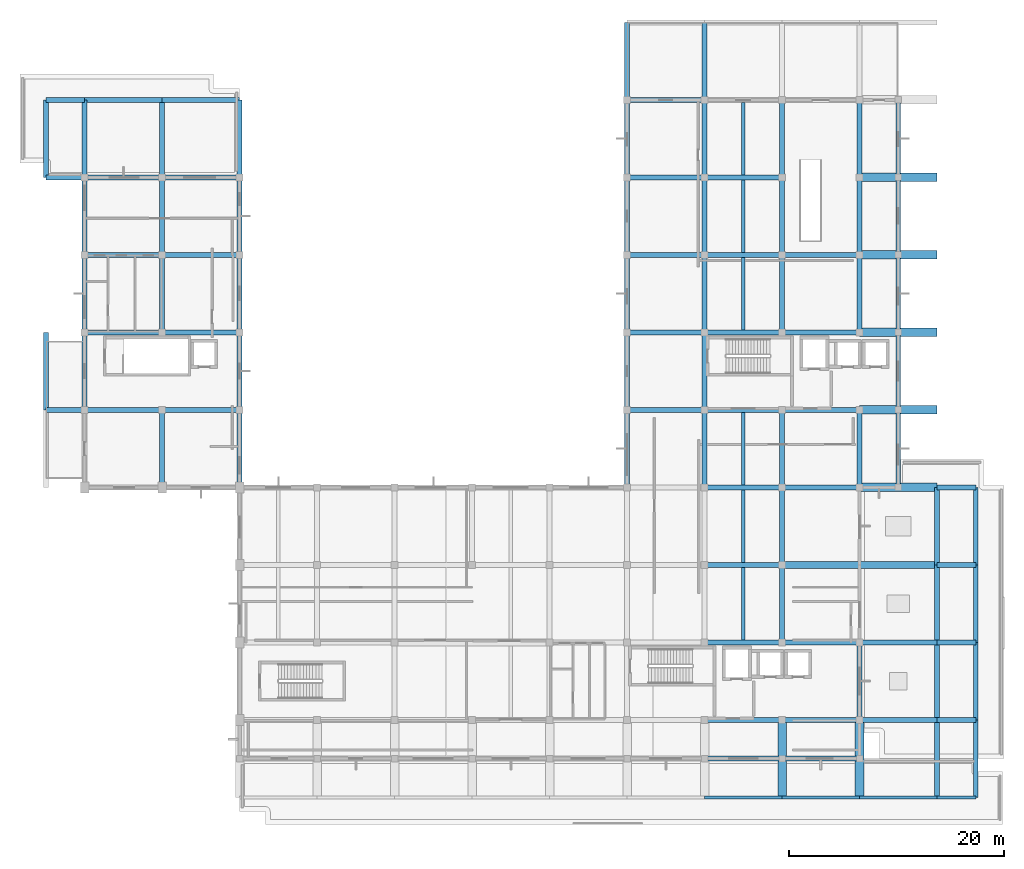
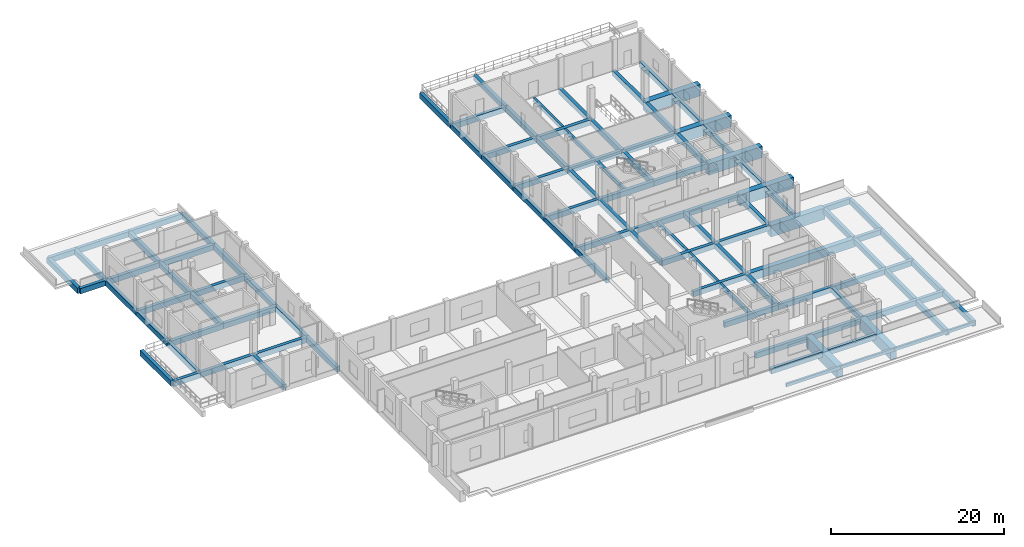
# One storey, part 2 of 16: 109 beams.
"""IFC4 building model written with IfcOpenShell, lengths in metres."""

from ifc_helpers import new_model, si_unit, direction, frame, origin, origin_2d, place, context, subcontext, project, spatial, rectangle, extrude, material, material_profile, profile_set, type_object, element, save


model = new_model("IFC4")

# Units and contexts
model_context = context("Model", 3, precision=1e-05, world=origin(), true_north=direction((0.0, 1.0)))
body_context = subcontext(model_context, "Body", "Model", "MODEL_VIEW")
ifc_project = project(units=[si_unit("LENGTHUNIT", "METRE"), si_unit("AREAUNIT", "SQUARE_METRE"), si_unit("VOLUMEUNIT", "CUBIC_METRE"), si_unit("PLANEANGLEUNIT", "RADIAN"), si_unit("MASSUNIT", "GRAM", prefix="KILO")], contexts=[model_context])

# Site, building, storey
site_placement = place(None, origin())
site = spatial("IfcSite", under=ifc_project, at=site_placement, CompositionType="ELEMENT")
building_placement = place(site_placement, origin())
building = spatial("IfcBuilding", under=site, at=building_placement, Name="Seraya Terrace Polytechnic", CompositionType="ELEMENT")
storey_placement = place(building_placement, frame((0.0, 0.0, 23.39990234375)))
storey = spatial("IfcBuildingStorey", under=building, at=storey_placement, Name="L05", CompositionType="ELEMENT", Elevation=23.39990234375)

# Beams
ifc_material = material(Name="Concrete C40/50", Category="concrete")
ifc_material_profile_1 = material_profile(ifc_material, rectangle(XDim=0.64990234375, YDim=1.14990234375, at=origin_2d()), Name="RC 650x1150")
ifc_profile_set_1 = profile_set([ifc_material_profile_1], Name="Concrete C40/50")
beam_type_1 = type_object("IfcBeamType", Name="BG-02", PredefinedType="USERDEFINED", material=ifc_profile_set_1)
beam_1_placement = place(storey_placement, frame((93.60009765625, 21.60009765625, -0.574951171875), z_axis=(1.0, 0.0, 0.0), x_axis=(0.0, 1.0, 0.0)))
element("IfcBeam", 1, at=beam_1_placement, inside=storey, type_object=beam_type_1, Name="Beam BG-02 L05 X (93.6..108.0, 21.6)", ObjectType="GIRDER", PredefinedType="USERDEFINED", context=body_context, shape_type="SweptSolid", body=[
    extrude(rectangle(XDim=0.64990234375, YDim=1.14990234375, at=origin_2d()), origin(), (0.0, 0.0, 1.0), 14.39990234375),
])
ifc_material_profile_2 = material_profile(ifc_material, rectangle(XDim=0.449951171875, YDim=0.75, at=origin_2d()), Name="RC 450x750")
ifc_profile_set_2 = profile_set([ifc_material_profile_2], Name="Concrete C40/50")
beam_type_2 = type_object("IfcBeamType", Name="BM-08", PredefinedType="BEAM", material=ifc_profile_set_2)
beam_2_placement = place(storey_placement, frame((86.39990234375, 3.60009765625, -0.375), z_axis=(1.0, 0.0, 0.0), x_axis=(0.0, 1.0, 0.0)))
element("IfcBeam", 2, at=beam_2_placement, inside=storey, type_object=beam_type_2, Name="Beam BM-08 L05 X (86.4..93.6, 3.6)", PredefinedType="BEAM", context=body_context, shape_type="SweptSolid", body=[
    extrude(rectangle(XDim=0.449951171875, YDim=0.75, at=origin_2d()), origin(), (0.0, 0.0, 1.0), 7.2001953125),
])
beam_3_placement = place(storey_placement, frame((93.60009765625, 3.60009765625, -0.375), z_axis=(1.0, 0.0, 0.0), x_axis=(0.0, 1.0, 0.0)))
element("IfcBeam", 3, at=beam_3_placement, inside=storey, type_object=beam_type_2, Name="Beam BM-08 L05 X (93.6..100.8, 3.6)", PredefinedType="BEAM", context=body_context, shape_type="SweptSolid", body=[
    extrude(rectangle(XDim=0.449951171875, YDim=0.75, at=origin_2d()), origin(), (0.0, 0.0, 1.0), 7.199951171875),
])
beam_4_placement = place(storey_placement, frame((86.39990234375, 7.199951171875, -0.375), z_axis=(1.0, 0.0, 0.0), x_axis=(0.0, 1.0, 0.0)))
element("IfcBeam", 4, at=beam_4_placement, inside=storey, type_object=beam_type_2, Name="Beam BM-08 L05 X (86.4..93.6, 7.2)", PredefinedType="BEAM", context=body_context, shape_type="SweptSolid", body=[
    extrude(rectangle(XDim=0.449951171875, YDim=0.75, at=origin_2d()), origin(), (0.0, 0.0, 1.0), 7.2001953125),
])
for number, where, z_axis, x_axis, name in (
    (5, (93.60009765625, 7.199951171875, -0.375), (1.0, 0.0, 0.0), (0.0, 1.0, 0.0), "Beam BM-08 L05 X (93.6..100.8, 7.2)"),
    (6, (100.800048828125, 7.199951171875, -0.375), (1.0, 0.0, 0.0), (0.0, 1.0, 0.0), "Beam BM-08 L05 X (100.8..108.0, 7.2)"),
):
    element("IfcBeam", number, at=place(storey_placement, frame(where, z_axis=z_axis, x_axis=x_axis)), inside=storey, type_object=beam_type_2, Name=name, PredefinedType="BEAM", context=body_context, shape_type="SweptSolid", body=[
        extrude(rectangle(XDim=0.449951171875, YDim=0.75, at=origin_2d()), origin(), (0.0, 0.0, 1.0), 7.199951171875),
    ])
beam_5_placement = place(storey_placement, frame((108.0, 7.199951171875, -0.375), z_axis=(1.0, 0.0, 0.0), x_axis=(0.0, 1.0, 0.0)))
element("IfcBeam", 7, at=beam_5_placement, inside=storey, type_object=beam_type_2, Name="Beam BM-08 L05 X (108.0..111.6, 7.2)", PredefinedType="BEAM", context=body_context, shape_type="SweptSolid", body=[
    extrude(rectangle(XDim=0.449951171875, YDim=0.75, at=origin_2d()), origin(), (0.0, 0.0, 1.0), 3.60009765625),
])
beam_6_placement = place(storey_placement, frame((86.39990234375, 14.39990234375, -0.375), z_axis=(1.0, 0.0, 0.0), x_axis=(0.0, 1.0, 0.0)))
element("IfcBeam", 8, at=beam_6_placement, inside=storey, type_object=beam_type_2, Name="Beam BM-08 L05 X (86.4..93.6, 14.4)", PredefinedType="BEAM", context=body_context, shape_type="SweptSolid", body=[
    extrude(rectangle(XDim=0.449951171875, YDim=0.75, at=origin_2d()), origin(), (0.0, 0.0, 1.0), 7.2001953125),
])
for number, where, z_axis, x_axis, name in (
    (9, (93.60009765625, 14.39990234375, -0.375), (1.0, 0.0, 0.0), (0.0, 1.0, 0.0), "Beam BM-08 L05 X (93.6..100.8, 14.4)"),
    (10, (100.800048828125, 14.39990234375, -0.375), (1.0, 0.0, 0.0), (0.0, 1.0, 0.0), "Beam BM-08 L05 X (100.8..108.0, 14.4)"),
):
    element("IfcBeam", number, at=place(storey_placement, frame(where, z_axis=z_axis, x_axis=x_axis)), inside=storey, type_object=beam_type_2, Name=name, PredefinedType="BEAM", context=body_context, shape_type="SweptSolid", body=[
        extrude(rectangle(XDim=0.449951171875, YDim=0.75, at=origin_2d()), origin(), (0.0, 0.0, 1.0), 7.199951171875),
    ])
beam_7_placement = place(storey_placement, frame((108.0, 14.39990234375, -0.375), z_axis=(1.0, 0.0, 0.0), x_axis=(0.0, 1.0, 0.0)))
element("IfcBeam", 11, at=beam_7_placement, inside=storey, type_object=beam_type_2, Name="Beam BM-08 L05 X (108.0..111.6, 14.4)", PredefinedType="BEAM", context=body_context, shape_type="SweptSolid", body=[
    extrude(rectangle(XDim=0.449951171875, YDim=0.75, at=origin_2d()), origin(), (0.0, 0.0, 1.0), 3.60009765625),
])
beam_8_placement = place(storey_placement, frame((86.39990234375, 21.60009765625, -0.375), z_axis=(1.0, 0.0, 0.0), x_axis=(0.0, 1.0, 0.0)))
element("IfcBeam", 12, at=beam_8_placement, inside=storey, type_object=beam_type_2, Name="Beam BM-08 L05 X (86.4..93.6, 21.6)", PredefinedType="BEAM", context=body_context, shape_type="SweptSolid", body=[
    extrude(rectangle(XDim=0.449951171875, YDim=0.75, at=origin_2d()), origin(), (0.0, 0.0, 1.0), 7.2001953125),
])
beam_9_placement = place(storey_placement, frame((108.0, 21.60009765625, -0.375), z_axis=(1.0, 0.0, 0.0), x_axis=(0.0, 1.0, 0.0)))
element("IfcBeam", 13, at=beam_9_placement, inside=storey, type_object=beam_type_2, Name="Beam BM-08 L05 X (108.0..111.6, 21.6)", PredefinedType="BEAM", context=body_context, shape_type="SweptSolid", body=[
    extrude(rectangle(XDim=0.449951171875, YDim=0.75, at=origin_2d()), origin(), (0.0, 0.0, 1.0), 3.60009765625),
])
beam_10_placement = place(storey_placement, frame((86.39990234375, 28.800048828125, -0.375), z_axis=(1.0, 0.0, 0.0), x_axis=(0.0, 1.0, 0.0)))
element("IfcBeam", 14, at=beam_10_placement, inside=storey, type_object=beam_type_2, Name="Beam BM-08 L05 X (86.4..93.6, 28.8)", PredefinedType="BEAM", context=body_context, shape_type="SweptSolid", body=[
    extrude(rectangle(XDim=0.449951171875, YDim=0.75, at=origin_2d()), origin(), (0.0, 0.0, 1.0), 7.2001953125),
])
beam_11_placement = place(storey_placement, frame((93.60009765625, 28.800048828125, -0.375), z_axis=(1.0, 0.0, 0.0), x_axis=(0.0, 1.0, 0.0)))
element("IfcBeam", 15, at=beam_11_placement, inside=storey, type_object=beam_type_2, Name="Beam BM-08 L05 X (93.6..100.8, 28.8)", PredefinedType="BEAM", context=body_context, shape_type="SweptSolid", body=[
    extrude(rectangle(XDim=0.449951171875, YDim=0.75, at=origin_2d()), origin(), (0.0, 0.0, 1.0), 7.199951171875),
])
for number, where, z_axis, x_axis, name in (
    (16, (108.0, 28.800048828125, -0.375), (1.0, 0.0, 0.0), (0.0, 1.0, 0.0), "Beam BM-08 L05 X (108.0..111.6, 28.8)"),
    (17, (25.199951171875, 36.0, -0.375), (1.0, 0.0, 0.0), (0.0, 1.0, 0.0), "Beam BM-08 L05 X (25.2..28.8, 36.0)"),
):
    element("IfcBeam", number, at=place(storey_placement, frame(where, z_axis=z_axis, x_axis=x_axis)), inside=storey, type_object=beam_type_2, Name=name, PredefinedType="BEAM", context=body_context, shape_type="SweptSolid", body=[
        extrude(rectangle(XDim=0.449951171875, YDim=0.75, at=origin_2d()), origin(), (0.0, 0.0, 1.0), 3.60009765625),
    ])
for number, where, z_axis, x_axis, name in (
    (18, (28.800048828125, 36.0, -0.375), (1.0, 0.0, 0.0), (0.0, 1.0, 0.0), "Beam BM-08 L05 X (28.8..36.0, 36.0)"),
    (19, (36.0, 36.0, -0.375), (1.0, 0.0, 0.0), (0.0, 1.0, 0.0), "Beam BM-08 L05 X (36.0..43.2, 36.0)"),
    (20, (79.199951171875, 36.0, -0.375), (1.0, 0.0, 0.0), (0.0, 1.0, 0.0), "Beam BM-08 L05 X (79.2..86.4, 36.0)"),
):
    element("IfcBeam", number, at=place(storey_placement, frame(where, z_axis=z_axis, x_axis=x_axis)), inside=storey, type_object=beam_type_2, Name=name, PredefinedType="BEAM", context=body_context, shape_type="SweptSolid", body=[
        extrude(rectangle(XDim=0.449951171875, YDim=0.75, at=origin_2d()), origin(), (0.0, 0.0, 1.0), 7.199951171875),
    ])
beam_12_placement = place(storey_placement, frame((86.39990234375, 36.0, -0.375), z_axis=(1.0, 0.0, 0.0), x_axis=(0.0, 1.0, 0.0)))
element("IfcBeam", 21, at=beam_12_placement, inside=storey, type_object=beam_type_2, Name="Beam BM-08 L05 X (86.4..93.6, 36.0)", PredefinedType="BEAM", context=body_context, shape_type="SweptSolid", body=[
    extrude(rectangle(XDim=0.449951171875, YDim=0.75, at=origin_2d()), origin(), (0.0, 0.0, 1.0), 7.2001953125),
])
for number, where, z_axis, x_axis, name in (
    (22, (93.60009765625, 36.0, -0.375), (1.0, 0.0, 0.0), (0.0, 1.0, 0.0), "Beam BM-08 L05 X (93.6..100.8, 36.0)"),
    (23, (28.800048828125, 43.199951171875, -0.375), (1.0, 0.0, 0.0), (0.0, 1.0, 0.0), "Beam BM-08 L05 X (28.8..36.0, 43.2)"),
    (24, (36.0, 43.199951171875, -0.375), (1.0, 0.0, 0.0), (0.0, 1.0, 0.0), "Beam BM-08 L05 X (36.0..43.2, 43.2)"),
    (25, (79.199951171875, 43.199951171875, -0.375), (1.0, 0.0, 0.0), (0.0, 1.0, 0.0), "Beam BM-08 L05 X (79.2..86.4, 43.2)"),
):
    element("IfcBeam", number, at=place(storey_placement, frame(where, z_axis=z_axis, x_axis=x_axis)), inside=storey, type_object=beam_type_2, Name=name, PredefinedType="BEAM", context=body_context, shape_type="SweptSolid", body=[
        extrude(rectangle(XDim=0.449951171875, YDim=0.75, at=origin_2d()), origin(), (0.0, 0.0, 1.0), 7.199951171875),
    ])
beam_13_placement = place(storey_placement, frame((86.39990234375, 43.199951171875, -0.375), z_axis=(1.0, 0.0, 0.0), x_axis=(0.0, 1.0, 0.0)))
element("IfcBeam", 26, at=beam_13_placement, inside=storey, type_object=beam_type_2, Name="Beam BM-08 L05 X (86.4..93.6, 43.2)", PredefinedType="BEAM", context=body_context, shape_type="SweptSolid", body=[
    extrude(rectangle(XDim=0.449951171875, YDim=0.75, at=origin_2d()), origin(), (0.0, 0.0, 1.0), 7.2001953125),
])
for number, where, z_axis, x_axis, name in (
    (27, (93.60009765625, 43.199951171875, -0.375), (1.0, 0.0, 0.0), (0.0, 1.0, 0.0), "Beam BM-08 L05 X (93.6..100.8, 43.2)"),
    (28, (28.800048828125, 50.39990234375, -0.375), (1.0, 0.0, 0.0), (0.0, 1.0, 0.0), "Beam BM-08 L05 X (28.8..36.0, 50.4)"),
    (29, (36.0, 50.39990234375, -0.375), (1.0, 0.0, 0.0), (0.0, 1.0, 0.0), "Beam BM-08 L05 X (36.0..43.2, 50.4)"),
    (30, (79.199951171875, 50.39990234375, -0.375), (1.0, 0.0, 0.0), (0.0, 1.0, 0.0), "Beam BM-08 L05 X (79.2..86.4, 50.4)"),
):
    element("IfcBeam", number, at=place(storey_placement, frame(where, z_axis=z_axis, x_axis=x_axis)), inside=storey, type_object=beam_type_2, Name=name, PredefinedType="BEAM", context=body_context, shape_type="SweptSolid", body=[
        extrude(rectangle(XDim=0.449951171875, YDim=0.75, at=origin_2d()), origin(), (0.0, 0.0, 1.0), 7.199951171875),
    ])
beam_14_placement = place(storey_placement, frame((86.39990234375, 50.39990234375, -0.375), z_axis=(1.0, 0.0, 0.0), x_axis=(0.0, 1.0, 0.0)))
element("IfcBeam", 31, at=beam_14_placement, inside=storey, type_object=beam_type_2, Name="Beam BM-08 L05 X (86.4..93.6, 50.4)", PredefinedType="BEAM", context=body_context, shape_type="SweptSolid", body=[
    extrude(rectangle(XDim=0.449951171875, YDim=0.75, at=origin_2d()), origin(), (0.0, 0.0, 1.0), 7.2001953125),
])
beam_15_placement = place(storey_placement, frame((93.60009765625, 50.39990234375, -0.375), z_axis=(1.0, 0.0, 0.0), x_axis=(0.0, 1.0, 0.0)))
element("IfcBeam", 32, at=beam_15_placement, inside=storey, type_object=beam_type_2, Name="Beam BM-08 L05 X (93.6..100.8, 50.4)", PredefinedType="BEAM", context=body_context, shape_type="SweptSolid", body=[
    extrude(rectangle(XDim=0.449951171875, YDim=0.75, at=origin_2d()), origin(), (0.0, 0.0, 1.0), 7.199951171875),
])
beam_16_placement = place(storey_placement, frame((25.199951171875, 57.60009765625, -0.375), z_axis=(1.0, 0.0, 0.0), x_axis=(0.0, 1.0, 0.0)))
element("IfcBeam", 33, at=beam_16_placement, inside=storey, type_object=beam_type_2, Name="Beam BM-08 L05 X (25.2..28.8, 57.6)", PredefinedType="BEAM", context=body_context, shape_type="SweptSolid", body=[
    extrude(rectangle(XDim=0.449951171875, YDim=0.75, at=origin_2d()), origin(), (0.0, 0.0, 1.0), 3.60009765625),
])
for number, where, z_axis, x_axis, name in (
    (34, (28.800048828125, 57.60009765625, -0.375), (1.0, 0.0, 0.0), (0.0, 1.0, 0.0), "Beam BM-08 L05 X (28.8..36.0, 57.6)"),
    (35, (36.0, 57.60009765625, -0.375), (1.0, 0.0, 0.0), (0.0, 1.0, 0.0), "Beam BM-08 L05 X (36.0..43.2, 57.6)"),
    (36, (79.199951171875, 57.60009765625, -0.375), (1.0, 0.0, 0.0), (0.0, 1.0, 0.0), "Beam BM-08 L05 X (79.2..86.4, 57.6)"),
):
    element("IfcBeam", number, at=place(storey_placement, frame(where, z_axis=z_axis, x_axis=x_axis)), inside=storey, type_object=beam_type_2, Name=name, PredefinedType="BEAM", context=body_context, shape_type="SweptSolid", body=[
        extrude(rectangle(XDim=0.449951171875, YDim=0.75, at=origin_2d()), origin(), (0.0, 0.0, 1.0), 7.199951171875),
    ])
beam_17_placement = place(storey_placement, frame((86.39990234375, 57.60009765625, -0.375), z_axis=(1.0, 0.0, 0.0), x_axis=(0.0, 1.0, 0.0)))
element("IfcBeam", 37, at=beam_17_placement, inside=storey, type_object=beam_type_2, Name="Beam BM-08 L05 X (86.4..93.6, 57.6)", PredefinedType="BEAM", context=body_context, shape_type="SweptSolid", body=[
    extrude(rectangle(XDim=0.449951171875, YDim=0.75, at=origin_2d()), origin(), (0.0, 0.0, 1.0), 7.2001953125),
])
beam_18_placement = place(storey_placement, frame((25.199951171875, 64.800048828125, -0.375), z_axis=(1.0, 0.0, 0.0), x_axis=(0.0, 1.0, 0.0)))
element("IfcBeam", 38, at=beam_18_placement, inside=storey, type_object=beam_type_2, Name="Beam BM-08 L05 X (25.2..28.8, 64.8)", PredefinedType="BEAM", context=body_context, shape_type="SweptSolid", body=[
    extrude(rectangle(XDim=0.449951171875, YDim=0.75, at=origin_2d()), origin(), (0.0, 0.0, 1.0), 3.60009765625),
])
for number, where, z_axis, x_axis, name in (
    (39, (28.800048828125, 64.800048828125, -0.375), (1.0, 0.0, 0.0), (0.0, 1.0, 0.0), "Beam BM-08 L05 X (28.8..36.0, 64.8)"),
    (40, (36.0, 64.800048828125, -0.375), (1.0, 0.0, 0.0), (0.0, 1.0, 0.0), "Beam BM-08 L05 X (36.0..43.2, 64.8)"),
    (41, (79.199951171875, 64.800048828125, -0.375), (1.0, 0.0, 0.0), (0.0, 1.0, 0.0), "Beam BM-08 L05 X (79.2..86.4, 64.8)"),
    (42, (25.199951171875, 36.0, -0.375), (0.0, 1.0, 0.0), (-1.0, 0.0, 0.0), "Beam BM-08 L05 Y (25.2, 36.0..43.2)"),
    (43, (25.199951171875, 57.60009765625, -0.375), (0.0, 1.0, 0.0), (-1.0, 0.0, 0.0), "Beam BM-08 L05 Y (25.2, 57.6..64.8)"),
    (44, (28.800048828125, 36.0, -0.375), (0.0, 1.0, 0.0), (-1.0, 0.0, 0.0), "Beam BM-08 L05 Y (28.8, 36.0..43.2)"),
    (45, (28.800048828125, 43.199951171875, -0.375), (0.0, 1.0, 0.0), (-1.0, 0.0, 0.0), "Beam BM-08 L05 Y (28.8, 43.2..50.4)"),
):
    element("IfcBeam", number, at=place(storey_placement, frame(where, z_axis=z_axis, x_axis=x_axis)), inside=storey, type_object=beam_type_2, Name=name, PredefinedType="BEAM", context=body_context, shape_type="SweptSolid", body=[
        extrude(rectangle(XDim=0.449951171875, YDim=0.75, at=origin_2d()), origin(), (0.0, 0.0, 1.0), 7.199951171875),
    ])
beam_19_placement = place(storey_placement, frame((28.800048828125, 50.39990234375, -0.375), z_axis=(0.0, 1.0, 0.0), x_axis=(-1.0, 0.0, 0.0)))
element("IfcBeam", 46, at=beam_19_placement, inside=storey, type_object=beam_type_2, Name="Beam BM-08 L05 Y (28.8, 50.4..57.6)", PredefinedType="BEAM", context=body_context, shape_type="SweptSolid", body=[
    extrude(rectangle(XDim=0.449951171875, YDim=0.75, at=origin_2d()), origin(), (0.0, 0.0, 1.0), 7.2001953125),
])
for number, where, z_axis, x_axis, name in (
    (47, (28.800048828125, 57.60009765625, -0.375), (0.0, 1.0, 0.0), (-1.0, 0.0, 0.0), "Beam BM-08 L05 Y (28.8, 57.6..64.8)"),
    (48, (36.0, 28.800048828125, -0.375), (0.0, 1.0, 0.0), (-1.0, 0.0, 0.0), "Beam BM-08 L05 Y (36.0, 28.8..36.0)"),
    (49, (36.0, 43.199951171875, -0.375), (0.0, 1.0, 0.0), (-1.0, 0.0, 0.0), "Beam BM-08 L05 Y (36.0, 43.2..50.4)"),
):
    element("IfcBeam", number, at=place(storey_placement, frame(where, z_axis=z_axis, x_axis=x_axis)), inside=storey, type_object=beam_type_2, Name=name, PredefinedType="BEAM", context=body_context, shape_type="SweptSolid", body=[
        extrude(rectangle(XDim=0.449951171875, YDim=0.75, at=origin_2d()), origin(), (0.0, 0.0, 1.0), 7.199951171875),
    ])
beam_20_placement = place(storey_placement, frame((36.0, 50.39990234375, -0.375), z_axis=(0.0, 1.0, 0.0), x_axis=(-1.0, 0.0, 0.0)))
element("IfcBeam", 50, at=beam_20_placement, inside=storey, type_object=beam_type_2, Name="Beam BM-08 L05 Y (36.0, 50.4..57.6)", PredefinedType="BEAM", context=body_context, shape_type="SweptSolid", body=[
    extrude(rectangle(XDim=0.449951171875, YDim=0.75, at=origin_2d()), origin(), (0.0, 0.0, 1.0), 7.2001953125),
])
for number, where, z_axis, x_axis, name in (
    (51, (36.0, 57.60009765625, -0.375), (0.0, 1.0, 0.0), (-1.0, 0.0, 0.0), "Beam BM-08 L05 Y (36.0, 57.6..64.8)"),
    (52, (43.199951171875, 28.800048828125, -0.375), (0.0, 1.0, 0.0), (-1.0, 0.0, 0.0), "Beam BM-08 L05 Y (43.2, 28.8..36.0)"),
    (53, (43.199951171875, 36.0, -0.375), (0.0, 1.0, 0.0), (-1.0, 0.0, 0.0), "Beam BM-08 L05 Y (43.2, 36.0..43.2)"),
    (54, (43.199951171875, 43.199951171875, -0.375), (0.0, 1.0, 0.0), (-1.0, 0.0, 0.0), "Beam BM-08 L05 Y (43.2, 43.2..50.4)"),
):
    element("IfcBeam", number, at=place(storey_placement, frame(where, z_axis=z_axis, x_axis=x_axis)), inside=storey, type_object=beam_type_2, Name=name, PredefinedType="BEAM", context=body_context, shape_type="SweptSolid", body=[
        extrude(rectangle(XDim=0.449951171875, YDim=0.75, at=origin_2d()), origin(), (0.0, 0.0, 1.0), 7.199951171875),
    ])
beam_21_placement = place(storey_placement, frame((43.199951171875, 50.39990234375, -0.375), z_axis=(0.0, 1.0, 0.0), x_axis=(-1.0, 0.0, 0.0)))
element("IfcBeam", 55, at=beam_21_placement, inside=storey, type_object=beam_type_2, Name="Beam BM-08 L05 Y (43.2, 50.4..57.6)", PredefinedType="BEAM", context=body_context, shape_type="SweptSolid", body=[
    extrude(rectangle(XDim=0.449951171875, YDim=0.75, at=origin_2d()), origin(), (0.0, 0.0, 1.0), 7.2001953125),
])
for number, where, z_axis, x_axis, name in (
    (56, (43.199951171875, 57.60009765625, -0.375), (0.0, 1.0, 0.0), (-1.0, 0.0, 0.0), "Beam BM-08 L05 Y (43.2, 57.6..64.8)"),
    (57, (79.199951171875, 28.800048828125, -0.375), (0.0, 1.0, 0.0), (-1.0, 0.0, 0.0), "Beam BM-08 L05 Y (79.2, 28.8..36.0)"),
    (58, (79.199951171875, 36.0, -0.375), (0.0, 1.0, 0.0), (-1.0, 0.0, 0.0), "Beam BM-08 L05 Y (79.2, 36.0..43.2)"),
    (59, (79.199951171875, 43.199951171875, -0.375), (0.0, 1.0, 0.0), (-1.0, 0.0, 0.0), "Beam BM-08 L05 Y (79.2, 43.2..50.4)"),
):
    element("IfcBeam", number, at=place(storey_placement, frame(where, z_axis=z_axis, x_axis=x_axis)), inside=storey, type_object=beam_type_2, Name=name, PredefinedType="BEAM", context=body_context, shape_type="SweptSolid", body=[
        extrude(rectangle(XDim=0.449951171875, YDim=0.75, at=origin_2d()), origin(), (0.0, 0.0, 1.0), 7.199951171875),
    ])
beam_22_placement = place(storey_placement, frame((79.199951171875, 50.39990234375, -0.375), z_axis=(0.0, 1.0, 0.0), x_axis=(-1.0, 0.0, 0.0)))
element("IfcBeam", 60, at=beam_22_placement, inside=storey, type_object=beam_type_2, Name="Beam BM-08 L05 Y (79.2, 50.4..57.6)", PredefinedType="BEAM", context=body_context, shape_type="SweptSolid", body=[
    extrude(rectangle(XDim=0.449951171875, YDim=0.75, at=origin_2d()), origin(), (0.0, 0.0, 1.0), 7.2001953125),
])
for number, where, z_axis, x_axis, name in (
    (61, (79.199951171875, 57.60009765625, -0.375), (0.0, 1.0, 0.0), (-1.0, 0.0, 0.0), "Beam BM-08 L05 Y (79.2, 57.6..64.8)"),
    (62, (79.199951171875, 64.800048828125, -0.375), (0.0, 1.0, 0.0), (-1.0, 0.0, 0.0), "Beam BM-08 L05 Y (79.2, 64.8..72.0)"),
    (63, (86.39990234375, 28.800048828125, -0.375), (0.0, 1.0, 0.0), (-1.0, 0.0, 0.0), "Beam BM-08 L05 Y (86.4, 28.8..36.0)"),
    (64, (86.39990234375, 36.0, -0.375), (0.0, 1.0, 0.0), (-1.0, 0.0, 0.0), "Beam BM-08 L05 Y (86.4, 36.0..43.2)"),
    (65, (86.39990234375, 43.199951171875, -0.375), (0.0, 1.0, 0.0), (-1.0, 0.0, 0.0), "Beam BM-08 L05 Y (86.4, 43.2..50.4)"),
):
    element("IfcBeam", number, at=place(storey_placement, frame(where, z_axis=z_axis, x_axis=x_axis)), inside=storey, type_object=beam_type_2, Name=name, PredefinedType="BEAM", context=body_context, shape_type="SweptSolid", body=[
        extrude(rectangle(XDim=0.449951171875, YDim=0.75, at=origin_2d()), origin(), (0.0, 0.0, 1.0), 7.199951171875),
    ])
beam_23_placement = place(storey_placement, frame((86.39990234375, 50.39990234375, -0.375), z_axis=(0.0, 1.0, 0.0), x_axis=(-1.0, 0.0, 0.0)))
element("IfcBeam", 66, at=beam_23_placement, inside=storey, type_object=beam_type_2, Name="Beam BM-08 L05 Y (86.4, 50.4..57.6)", PredefinedType="BEAM", context=body_context, shape_type="SweptSolid", body=[
    extrude(rectangle(XDim=0.449951171875, YDim=0.75, at=origin_2d()), origin(), (0.0, 0.0, 1.0), 7.2001953125),
])
for number, where, z_axis, x_axis, name in (
    (67, (86.39990234375, 57.60009765625, -0.375), (0.0, 1.0, 0.0), (-1.0, 0.0, 0.0), "Beam BM-08 L05 Y (86.4, 57.6..64.8)"),
    (68, (86.39990234375, 64.800048828125, -0.375), (0.0, 1.0, 0.0), (-1.0, 0.0, 0.0), "Beam BM-08 L05 Y (86.4, 64.8..72.0)"),
):
    element("IfcBeam", number, at=place(storey_placement, frame(where, z_axis=z_axis, x_axis=x_axis)), inside=storey, type_object=beam_type_2, Name=name, PredefinedType="BEAM", context=body_context, shape_type="SweptSolid", body=[
        extrude(rectangle(XDim=0.449951171875, YDim=0.75, at=origin_2d()), origin(), (0.0, 0.0, 1.0), 7.199951171875),
    ])
beam_24_placement = place(storey_placement, frame((93.60009765625, 14.39990234375, -0.375), z_axis=(0.0, 1.0, 0.0), x_axis=(-1.0, 0.0, 0.0)))
element("IfcBeam", 69, at=beam_24_placement, inside=storey, type_object=beam_type_2, Name="Beam BM-08 L05 Y (93.6, 14.4..21.6)", PredefinedType="BEAM", context=body_context, shape_type="SweptSolid", body=[
    extrude(rectangle(XDim=0.449951171875, YDim=0.75, at=origin_2d()), origin(), (0.0, 0.0, 1.0), 7.2001953125),
])
for number, where, z_axis, x_axis, name in (
    (70, (93.60009765625, 21.60009765625, -0.375), (0.0, 1.0, 0.0), (-1.0, 0.0, 0.0), "Beam BM-08 L05 Y (93.6, 21.6..28.8)"),
    (71, (93.60009765625, 28.800048828125, -0.375), (0.0, 1.0, 0.0), (-1.0, 0.0, 0.0), "Beam BM-08 L05 Y (93.6, 28.8..36.0)"),
    (72, (93.60009765625, 43.199951171875, -0.375), (0.0, 1.0, 0.0), (-1.0, 0.0, 0.0), "Beam BM-08 L05 Y (93.6, 43.2..50.4)"),
):
    element("IfcBeam", number, at=place(storey_placement, frame(where, z_axis=z_axis, x_axis=x_axis)), inside=storey, type_object=beam_type_2, Name=name, PredefinedType="BEAM", context=body_context, shape_type="SweptSolid", body=[
        extrude(rectangle(XDim=0.449951171875, YDim=0.75, at=origin_2d()), origin(), (0.0, 0.0, 1.0), 7.199951171875),
    ])
beam_25_placement = place(storey_placement, frame((93.60009765625, 50.39990234375, -0.375), z_axis=(0.0, 1.0, 0.0), x_axis=(-1.0, 0.0, 0.0)))
element("IfcBeam", 73, at=beam_25_placement, inside=storey, type_object=beam_type_2, Name="Beam BM-08 L05 Y (93.6, 50.4..57.6)", PredefinedType="BEAM", context=body_context, shape_type="SweptSolid", body=[
    extrude(rectangle(XDim=0.449951171875, YDim=0.75, at=origin_2d()), origin(), (0.0, 0.0, 1.0), 7.2001953125),
])
for number, where, z_axis, x_axis, name in (
    (74, (93.60009765625, 57.60009765625, -0.375), (0.0, 1.0, 0.0), (-1.0, 0.0, 0.0), "Beam BM-08 L05 Y (93.6, 57.6..64.8)"),
    (75, (100.800048828125, 7.199951171875, -0.375), (0.0, 1.0, 0.0), (-1.0, 0.0, 0.0), "Beam BM-08 L05 Y (100.8, 7.2..14.4)"),
    (76, (100.800048828125, 28.800048828125, -0.375), (0.0, 1.0, 0.0), (-1.0, 0.0, 0.0), "Beam BM-08 L05 Y (100.8, 28.8..36.0)"),
    (77, (100.800048828125, 43.199951171875, -0.375), (0.0, 1.0, 0.0), (-1.0, 0.0, 0.0), "Beam BM-08 L05 Y (100.8, 43.2..50.4)"),
):
    element("IfcBeam", number, at=place(storey_placement, frame(where, z_axis=z_axis, x_axis=x_axis)), inside=storey, type_object=beam_type_2, Name=name, PredefinedType="BEAM", context=body_context, shape_type="SweptSolid", body=[
        extrude(rectangle(XDim=0.449951171875, YDim=0.75, at=origin_2d()), origin(), (0.0, 0.0, 1.0), 7.199951171875),
    ])
beam_26_placement = place(storey_placement, frame((100.800048828125, 50.39990234375, -0.375), z_axis=(0.0, 1.0, 0.0), x_axis=(-1.0, 0.0, 0.0)))
element("IfcBeam", 78, at=beam_26_placement, inside=storey, type_object=beam_type_2, Name="Beam BM-08 L05 Y (100.8, 50.4..57.6)", PredefinedType="BEAM", context=body_context, shape_type="SweptSolid", body=[
    extrude(rectangle(XDim=0.449951171875, YDim=0.75, at=origin_2d()), origin(), (0.0, 0.0, 1.0), 7.2001953125),
])
for number, where, z_axis, x_axis, name in (
    (79, (100.800048828125, 57.60009765625, -0.375), (0.0, 1.0, 0.0), (-1.0, 0.0, 0.0), "Beam BM-08 L05 Y (100.8, 57.6..64.8)"),
    (80, (104.39990234375, 28.800048828125, -0.375), (0.0, 1.0, 0.0), (-1.0, 0.0, 0.0), "Beam BM-08 L05 Y (104.4, 28.8..36.0)"),
    (81, (104.39990234375, 36.0, -0.375), (0.0, 1.0, 0.0), (-1.0, 0.0, 0.0), "Beam BM-08 L05 Y (104.4, 36.0..43.2)"),
    (82, (104.39990234375, 43.199951171875, -0.375), (0.0, 1.0, 0.0), (-1.0, 0.0, 0.0), "Beam BM-08 L05 Y (104.4, 43.2..50.4)"),
):
    element("IfcBeam", number, at=place(storey_placement, frame(where, z_axis=z_axis, x_axis=x_axis)), inside=storey, type_object=beam_type_2, Name=name, PredefinedType="BEAM", context=body_context, shape_type="SweptSolid", body=[
        extrude(rectangle(XDim=0.449951171875, YDim=0.75, at=origin_2d()), origin(), (0.0, 0.0, 1.0), 7.199951171875),
    ])
beam_27_placement = place(storey_placement, frame((104.39990234375, 50.39990234375, -0.375), z_axis=(0.0, 1.0, 0.0), x_axis=(-1.0, 0.0, 0.0)))
element("IfcBeam", 83, at=beam_27_placement, inside=storey, type_object=beam_type_2, Name="Beam BM-08 L05 Y (104.4, 50.4..57.6)", PredefinedType="BEAM", context=body_context, shape_type="SweptSolid", body=[
    extrude(rectangle(XDim=0.449951171875, YDim=0.75, at=origin_2d()), origin(), (0.0, 0.0, 1.0), 7.2001953125),
])
for number, where, z_axis, x_axis, name in (
    (84, (104.39990234375, 57.60009765625, -0.375), (0.0, 1.0, 0.0), (-1.0, 0.0, 0.0), "Beam BM-08 L05 Y (104.4, 57.6..64.8)"),
    (85, (108.0, 0.0, -0.375), (0.0, 1.0, 0.0), (-1.0, 0.0, 0.0), "Beam BM-08 L05 Y (108.0, 0.0..7.2)"),
    (86, (108.0, 7.199951171875, -0.375), (0.0, 1.0, 0.0), (-1.0, 0.0, 0.0), "Beam BM-08 L05 Y (108.0, 7.2..14.4)"),
):
    element("IfcBeam", number, at=place(storey_placement, frame(where, z_axis=z_axis, x_axis=x_axis)), inside=storey, type_object=beam_type_2, Name=name, PredefinedType="BEAM", context=body_context, shape_type="SweptSolid", body=[
        extrude(rectangle(XDim=0.449951171875, YDim=0.75, at=origin_2d()), origin(), (0.0, 0.0, 1.0), 7.199951171875),
    ])
beam_28_placement = place(storey_placement, frame((108.0, 14.39990234375, -0.375), z_axis=(0.0, 1.0, 0.0), x_axis=(-1.0, 0.0, 0.0)))
element("IfcBeam", 87, at=beam_28_placement, inside=storey, type_object=beam_type_2, Name="Beam BM-08 L05 Y (108.0, 14.4..21.6)", PredefinedType="BEAM", context=body_context, shape_type="SweptSolid", body=[
    extrude(rectangle(XDim=0.449951171875, YDim=0.75, at=origin_2d()), origin(), (0.0, 0.0, 1.0), 7.2001953125),
])
for number, where, z_axis, x_axis, name in (
    (88, (108.0, 21.60009765625, -0.375), (0.0, 1.0, 0.0), (-1.0, 0.0, 0.0), "Beam BM-08 L05 Y (108.0, 21.6..28.8)"),
    (89, (111.60009765625, 0.0, -0.375), (0.0, 1.0, 0.0), (-1.0, 0.0, 0.0), "Beam BM-08 L05 Y (111.6, 0.0..7.2)"),
    (90, (111.60009765625, 7.199951171875, -0.375), (0.0, 1.0, 0.0), (-1.0, 0.0, 0.0), "Beam BM-08 L05 Y (111.6, 7.2..14.4)"),
):
    element("IfcBeam", number, at=place(storey_placement, frame(where, z_axis=z_axis, x_axis=x_axis)), inside=storey, type_object=beam_type_2, Name=name, PredefinedType="BEAM", context=body_context, shape_type="SweptSolid", body=[
        extrude(rectangle(XDim=0.449951171875, YDim=0.75, at=origin_2d()), origin(), (0.0, 0.0, 1.0), 7.199951171875),
    ])
beam_29_placement = place(storey_placement, frame((111.60009765625, 14.39990234375, -0.375), z_axis=(0.0, 1.0, 0.0), x_axis=(-1.0, 0.0, 0.0)))
element("IfcBeam", 91, at=beam_29_placement, inside=storey, type_object=beam_type_2, Name="Beam BM-08 L05 Y (111.6, 14.4..21.6)", PredefinedType="BEAM", context=body_context, shape_type="SweptSolid", body=[
    extrude(rectangle(XDim=0.449951171875, YDim=0.75, at=origin_2d()), origin(), (0.0, 0.0, 1.0), 7.2001953125),
])
beam_30_placement = place(storey_placement, frame((111.60009765625, 21.60009765625, -0.375), z_axis=(0.0, 1.0, 0.0), x_axis=(-1.0, 0.0, 0.0)))
element("IfcBeam", 92, at=beam_30_placement, inside=storey, type_object=beam_type_2, Name="Beam BM-08 L05 Y (111.6, 21.6..28.8)", PredefinedType="BEAM", context=body_context, shape_type="SweptSolid", body=[
    extrude(rectangle(XDim=0.449951171875, YDim=0.75, at=origin_2d()), origin(), (0.0, 0.0, 1.0), 7.199951171875),
])
ifc_material_profile_3 = material_profile(ifc_material, rectangle(XDim=0.320068359375, YDim=0.5400390625, at=origin_2d()), Name="RC 320x540")
ifc_profile_set_3 = profile_set([ifc_material_profile_3], Name="Concrete C40/50")
beam_type_3 = type_object("IfcBeamType", Name="JS-04", PredefinedType="JOIST", material=ifc_profile_set_3)
for number, where, z_axis, x_axis, name in (
    (93, (90.0, 14.625, -0.27001953125), (0.0, 1.0, 0.0), (-1.0, 0.0, 0.0), "Secondary joist JS-04 L05"),
    (94, (90.0, 21.824951171875, -0.27001953125), (0.0, 1.0, 0.0), (-1.0, 0.0, 0.0), "Secondary joist JS-04 L05"),
    (95, (90.0, 29.02490234375, -0.27001953125), (0.0, 1.0, 0.0), (-1.0, 0.0, 0.0), "Secondary joist JS-04 L05"),
    (96, (90.0, 43.425048828125, -0.27001953125), (0.0, 1.0, 0.0), (-1.0, 0.0, 0.0), "Secondary joist JS-04 L05"),
    (97, (90.0, 50.625, -0.27001953125), (0.0, 1.0, 0.0), (-1.0, 0.0, 0.0), "Secondary joist JS-04 L05"),
    (98, (90.0, 57.824951171875, -0.27001953125), (0.0, 1.0, 0.0), (-1.0, 0.0, 0.0), "Secondary joist JS-04 L05"),
):
    element("IfcBeam", number, at=place(storey_placement, frame(where, z_axis=z_axis, x_axis=x_axis)), inside=storey, type_object=beam_type_3, Name=name, PredefinedType="JOIST", context=body_context, shape_type="SweptSolid", body=[
        extrude(rectangle(XDim=0.320068359375, YDim=0.5400390625, at=origin_2d()), origin(), (0.0, 0.0, 1.0), 6.75),
    ])
ifc_material_profile_4 = material_profile(ifc_material, rectangle(XDim=0.260009765625, YDim=0.43994140625, at=origin_2d()), Name="RC 260x440")
ifc_profile_set_4 = profile_set([ifc_material_profile_4], Name="Concrete C40/50")
beam_type_4 = type_object("IfcBeamType", Name="SP-02", PredefinedType="SPANDREL", material=ifc_profile_set_4)
beam_31_placement = place(storey_placement, frame((86.39990234375, 0.0, -0.219970703125), z_axis=(1.0, 0.0, 0.0), x_axis=(0.0, 1.0, 0.0)))
element("IfcBeam", 99, at=beam_31_placement, inside=storey, type_object=beam_type_4, Name="Beam SP-02 L05 X (86.4..93.6, 0.0)", PredefinedType="SPANDREL", context=body_context, shape_type="SweptSolid", body=[
    extrude(rectangle(XDim=0.260009765625, YDim=0.43994140625, at=origin_2d()), origin(), (0.0, 0.0, 1.0), 7.2001953125),
])
for number, where, z_axis, x_axis, name in (
    (100, (93.60009765625, 0.0, -0.219970703125), (1.0, 0.0, 0.0), (0.0, 1.0, 0.0), "Beam SP-02 L05 X (93.6..100.8, 0.0)"),
    (101, (100.800048828125, 0.0, -0.219970703125), (1.0, 0.0, 0.0), (0.0, 1.0, 0.0), "Beam SP-02 L05 X (100.8..108.0, 0.0)"),
):
    element("IfcBeam", number, at=place(storey_placement, frame(where, z_axis=z_axis, x_axis=x_axis)), inside=storey, type_object=beam_type_4, Name=name, PredefinedType="SPANDREL", context=body_context, shape_type="SweptSolid", body=[
        extrude(rectangle(XDim=0.260009765625, YDim=0.43994140625, at=origin_2d()), origin(), (0.0, 0.0, 1.0), 7.199951171875),
    ])
beam_32_placement = place(storey_placement, frame((108.0, 0.0, -0.219970703125), z_axis=(1.0, 0.0, 0.0), x_axis=(0.0, 1.0, 0.0)))
element("IfcBeam", 102, at=beam_32_placement, inside=storey, type_object=beam_type_4, Name="Beam SP-02 L05 X (108.0..111.6, 0.0)", PredefinedType="SPANDREL", context=body_context, shape_type="SweptSolid", body=[
    extrude(rectangle(XDim=0.260009765625, YDim=0.43994140625, at=origin_2d()), origin(), (0.0, 0.0, 1.0), 3.60009765625),
])
ifc_material_profile_5 = material_profile(ifc_material, rectangle(XDim=0.800048828125, YDim=1.60009765625, at=origin_2d()), Name="RC 800x1600")
ifc_profile_set_5 = profile_set([ifc_material_profile_5], Name="Concrete C40/50")
beam_type_5 = type_object("IfcBeamType", Name="TG-03", PredefinedType="USERDEFINED", material=ifc_profile_set_5)
for number, where, z_axis, x_axis, name in (
    (103, (100.800048828125, 28.800048828125, -0.7998046875), (1.0, 0.0, 0.0), (0.0, 1.0, 0.0), "Transfer girder TG-03 L05 #33"),
    (104, (100.800048828125, 36.0, -0.7998046875), (1.0, 0.0, 0.0), (0.0, 1.0, 0.0), "Transfer girder TG-03 L05 #34"),
    (105, (100.800048828125, 43.199951171875, -0.7998046875), (1.0, 0.0, 0.0), (0.0, 1.0, 0.0), "Transfer girder TG-03 L05 #35"),
    (106, (100.800048828125, 50.39990234375, -0.7998046875), (1.0, 0.0, 0.0), (0.0, 1.0, 0.0), "Transfer girder TG-03 L05 #36"),
    (107, (100.800048828125, 57.60009765625, -0.7998046875), (1.0, 0.0, 0.0), (0.0, 1.0, 0.0), "Transfer girder TG-03 L05 #37"),
    (108, (93.60009765625, 0.0, -0.7998046875), (0.0, 1.0, 0.0), (-1.0, 0.0, 0.0), "Transfer girder TG-03 L05 #46"),
    (109, (100.800048828125, 0.0, -0.7998046875), (0.0, 1.0, 0.0), (-1.0, 0.0, 0.0), "Transfer girder TG-03 L05 #47"),
):
    element("IfcBeam", number, at=place(storey_placement, frame(where, z_axis=z_axis, x_axis=x_axis)), inside=storey, type_object=beam_type_5, Name=name, ObjectType="GIRDER", PredefinedType="USERDEFINED", context=body_context, shape_type="SweptSolid", body=[
        extrude(rectangle(XDim=0.800048828125, YDim=1.60009765625, at=origin_2d()), origin(), (0.0, 0.0, 1.0), 7.199951171875),
    ])

save(model, "model.ifc")
